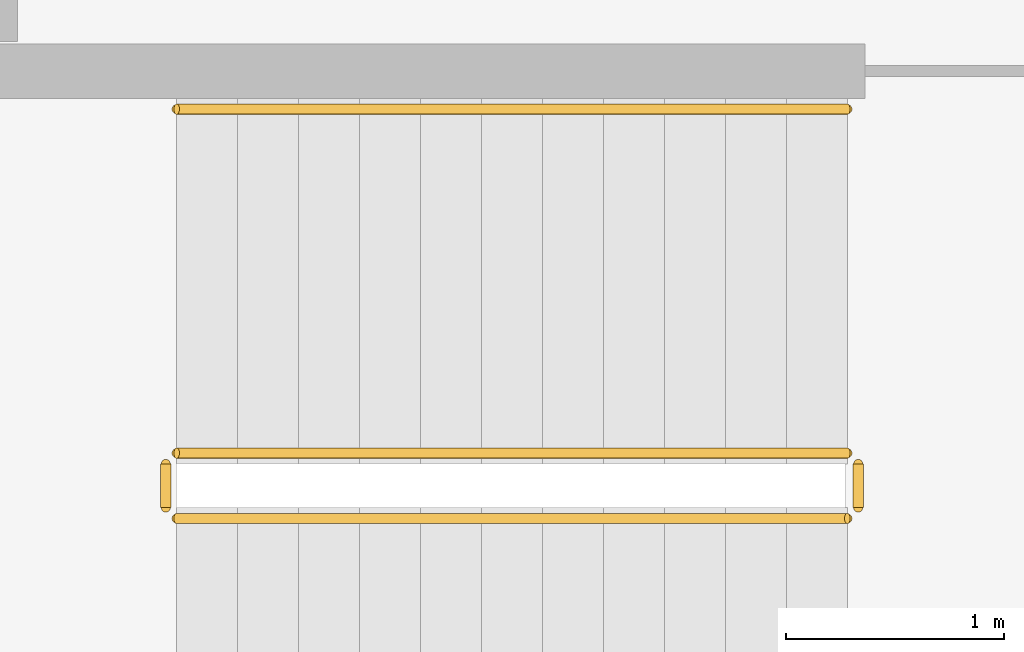
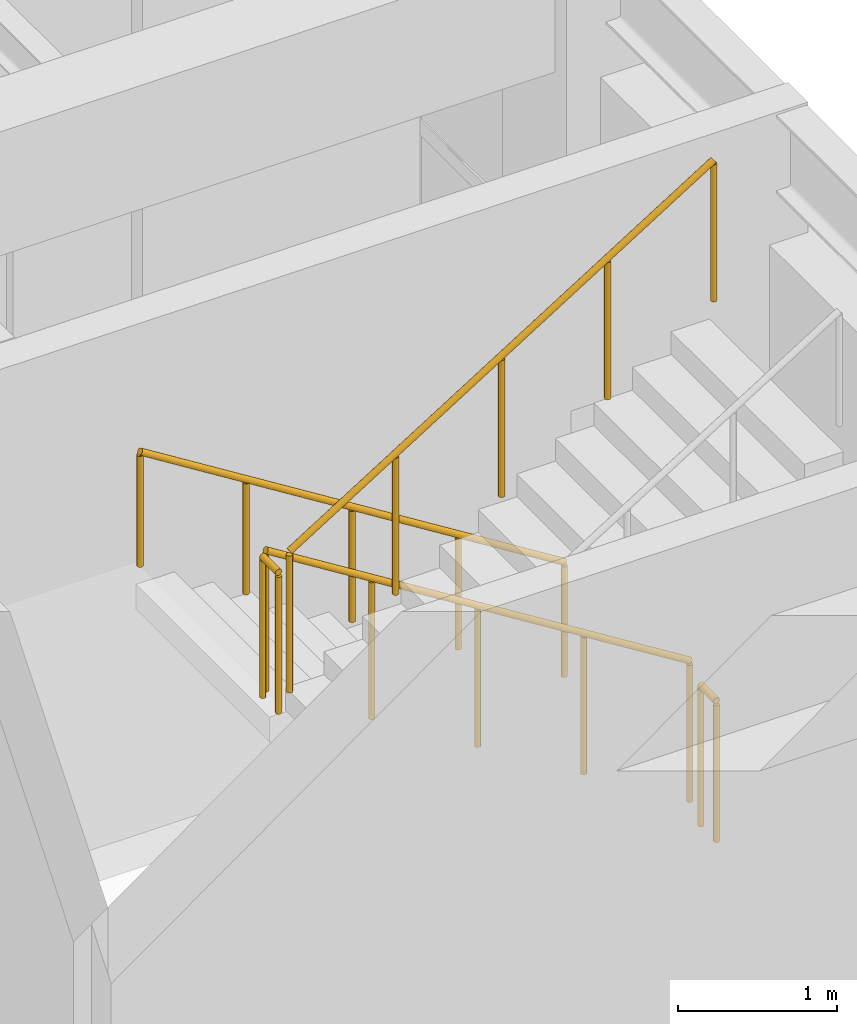
# One storey, part 116 of 124: 5 railings.
"""IFC4 building model written with IfcOpenShell, lengths in metres."""

from ifc_helpers import new_model, si_unit, direction, frame, origin, origin_2d, place, context, subcontext, project, spatial, circle, extrude, material, layer, layer_set, type_object, element, save


model = new_model("IFC4")

# Units and contexts
model_context = context("Model", 3, precision=1e-05, world=origin(), true_north=direction((0.0, 1.0)))
body_context = subcontext(model_context, "Body", "Model", "MODEL_VIEW")
ifc_project = project(units=[si_unit("LENGTHUNIT", "METRE"), si_unit("AREAUNIT", "SQUARE_METRE"), si_unit("VOLUMEUNIT", "CUBIC_METRE"), si_unit("PLANEANGLEUNIT", "RADIAN"), si_unit("MASSUNIT", "GRAM", prefix="KILO")], contexts=[model_context])

# Site, building, storey
site_placement = place(None, origin())
site = spatial("IfcSite", under=ifc_project, at=site_placement, CompositionType="ELEMENT")
building_placement = place(site_placement, origin())
building = spatial("IfcBuilding", under=site, at=building_placement, Name="Qasida Concert Hall", CompositionType="ELEMENT")
storey_placement = place(building_placement, frame((0.0, 0.0, 9.0)))
storey = spatial("IfcBuildingStorey", under=building, at=storey_placement, Name="L02", CompositionType="ELEMENT", Elevation=9.0)

# Railings
ifc_material_1 = material(Name="Patinated architectural bronze and laminated glass infill", Category="glass")
ifc_layer_1 = layer(ifc_material_1, 0.080078125, Name="Patinated architectural bronze and laminated glass infill")
ifc_layer_set_1 = layer_set([ifc_layer_1], Name="Patinated architectural bronze and laminated glass infill")
railing_type_1 = type_object("IfcRailingType", Name="RL-GRD-1100", PredefinedType="GUARDRAIL", material=ifc_layer_set_1)
railing_1_placement = place(storey_placement, frame((103.320068359375, 48.330078125, 0.175048828125)))
element("IfcRailing", 1, at=railing_1_placement, inside=storey, type_object=railing_type_1, Name="L02 ST-02 stair guard 1", PredefinedType="GUARDRAIL", context=body_context, shape_type="SweptSolid", body=[
    extrude(circle(Radius=0.02392578125, at=origin_2d()), frame((0.0, 0.0, 1.076171875), z_axis=(-0.847998304005, 0.0, 0.529998940003), x_axis=(0.0, -1.0, 0.0)), (0.0, 0.0, 1.0), 3.632080078125),
    extrude(circle(Radius=0.02099609375, at=origin_2d()), origin(), (0.0, 0.0, 1.0), 1.052001953125),
    extrude(circle(Radius=0.02099609375, at=origin_2d()), frame((-0.77001953125, 0.0, 0.481201171875)), (0.0, 0.0, 1.0), 1.052001953125),
    extrude(circle(Radius=0.02099609375, at=origin_2d()), frame((-1.5400390625, 0.0, 0.96240234375)), (0.0, 0.0, 1.0), 1.052001953125),
    extrude(circle(Radius=0.02099609375, at=origin_2d()), frame((-2.31005859375, 0.0, 1.44384765625)), (0.0, 0.0, 1.0), 1.052001953125),
    extrude(circle(Radius=0.02099609375, at=origin_2d()), frame((-3.080078125, 0.0, 1.925048828125)), (0.0, 0.0, 1.0), 1.052001953125),
])
railing_2_placement = place(storey_placement, frame((100.18994140625, 48.280029296875, 2.10009765625)))
element("IfcRailing", 2, at=railing_2_placement, inside=storey, type_object=railing_type_1, Name="L02 ST-02 stair guard 2", PredefinedType="GUARDRAIL", context=body_context, shape_type="SweptSolid", body=[
    extrude(circle(Radius=0.02392578125, at=origin_2d()), frame((0.0, 0.0, 1.076171875), z_axis=(0.0, -1.0, 0.0), x_axis=(1.0, 0.0, 0.0)), (0.0, 0.0, 1.0), 0.199951171875),
    extrude(circle(Radius=0.02099609375, at=origin_2d()), origin(), (0.0, 0.0, 1.0), 1.052001953125),
    extrude(circle(Radius=0.02099609375, at=origin_2d()), frame((0.0, -0.199951171875, 0.0)), (0.0, 0.0, 1.0), 1.052001953125),
])
railing_3_placement = place(storey_placement, frame((100.239990234375, 48.030029296875, 2.27490234375)))
element("IfcRailing", 3, at=railing_3_placement, inside=storey, type_object=railing_type_1, Name="L02 ST-02 stair guard 3", PredefinedType="GUARDRAIL", context=body_context, shape_type="SweptSolid", body=[
    extrude(circle(Radius=0.02392578125, at=origin_2d()), frame((0.0, 0.0, 1.076171875), z_axis=(0.847998304005, 0.0, 0.529998940003), x_axis=(0.0, 1.0, 0.0)), (0.0, 0.0, 1.0), 3.632080078125),
    extrude(circle(Radius=0.02099609375, at=origin_2d()), origin(), (0.0, 0.0, 1.0), 1.052001953125),
    extrude(circle(Radius=0.02099609375, at=origin_2d()), frame((0.77001953125, 0.0, 0.481201171875)), (0.0, 0.0, 1.0), 1.052001953125),
    extrude(circle(Radius=0.02099609375, at=origin_2d()), frame((1.5400390625, 0.0, 0.96240234375)), (0.0, 0.0, 1.0), 1.052001953125),
    extrude(circle(Radius=0.02099609375, at=origin_2d()), frame((2.31005859375, 0.0, 1.44384765625)), (0.0, 0.0, 1.0), 1.052001953125),
    extrude(circle(Radius=0.02099609375, at=origin_2d()), frame((3.080078125, 0.0, 1.925048828125)), (0.0, 0.0, 1.0), 1.052001953125),
])
railing_4_placement = place(storey_placement, frame((103.3701171875, 48.280029296875, 0.0)))
element("IfcRailing", 4, at=railing_4_placement, inside=storey, type_object=railing_type_1, Name="L02 ST-02 stair guard 4", PredefinedType="GUARDRAIL", context=body_context, shape_type="SweptSolid", body=[
    extrude(circle(Radius=0.02392578125, at=origin_2d()), frame((0.0, 0.0, 1.076171875), z_axis=(0.0, -1.0, 0.0), x_axis=(1.0, 0.0, 0.0)), (0.0, 0.0, 1.0), 0.199951171875),
    extrude(circle(Radius=0.02099609375, at=origin_2d()), origin(), (0.0, 0.0, 1.0), 1.052001953125),
    extrude(circle(Radius=0.02099609375, at=origin_2d()), frame((0.0, -0.199951171875, 0.0)), (0.0, 0.0, 1.0), 1.052001953125),
])
ifc_material_2 = material(Name="Patinated tubular architectural bronze", Category="steel")
ifc_layer_2 = layer(ifc_material_2, 0.050048828125, Name="Patinated tubular architectural bronze")
ifc_layer_set_2 = layer_set([ifc_layer_2], Name="Patinated tubular architectural bronze")
railing_type_2 = type_object("IfcRailingType", Name="RL-HND-900", PredefinedType="HANDRAIL", material=ifc_layer_set_2)
railing_5_placement = place(storey_placement, frame((103.320068359375, 49.909912109375, 0.175048828125)))
element("IfcRailing", 5, at=railing_5_placement, inside=storey, type_object=railing_type_2, Name="L02 ST-02 stair handrail 1", PredefinedType="HANDRAIL", context=body_context, shape_type="SweptSolid", body=[
    extrude(circle(Radius=0.02392578125, at=origin_2d()), frame((0.0, 0.0, 0.8759765625), z_axis=(-0.847998304005, 0.0, 0.529998940003), x_axis=(0.0, -1.0, 0.0)), (0.0, 0.0, 1.0), 3.632080078125),
    extrude(circle(Radius=0.02099609375, at=origin_2d()), origin(), (0.0, 0.0, 1.0), 0.851806640625),
    extrude(circle(Radius=0.02099609375, at=origin_2d()), frame((-0.77001953125, 0.0, 0.481201171875)), (0.0, 0.0, 1.0), 0.851806640625),
    extrude(circle(Radius=0.02099609375, at=origin_2d()), frame((-1.5400390625, 0.0, 0.96240234375)), (0.0, 0.0, 1.0), 0.851806640625),
    extrude(circle(Radius=0.02099609375, at=origin_2d()), frame((-2.31005859375, 0.0, 1.44384765625)), (0.0, 0.0, 1.0), 0.851806640625),
    extrude(circle(Radius=0.02099609375, at=origin_2d()), frame((-3.080078125, 0.0, 1.925048828125)), (0.0, 0.0, 1.0), 0.851806640625),
])

save(model, "model.ifc")
